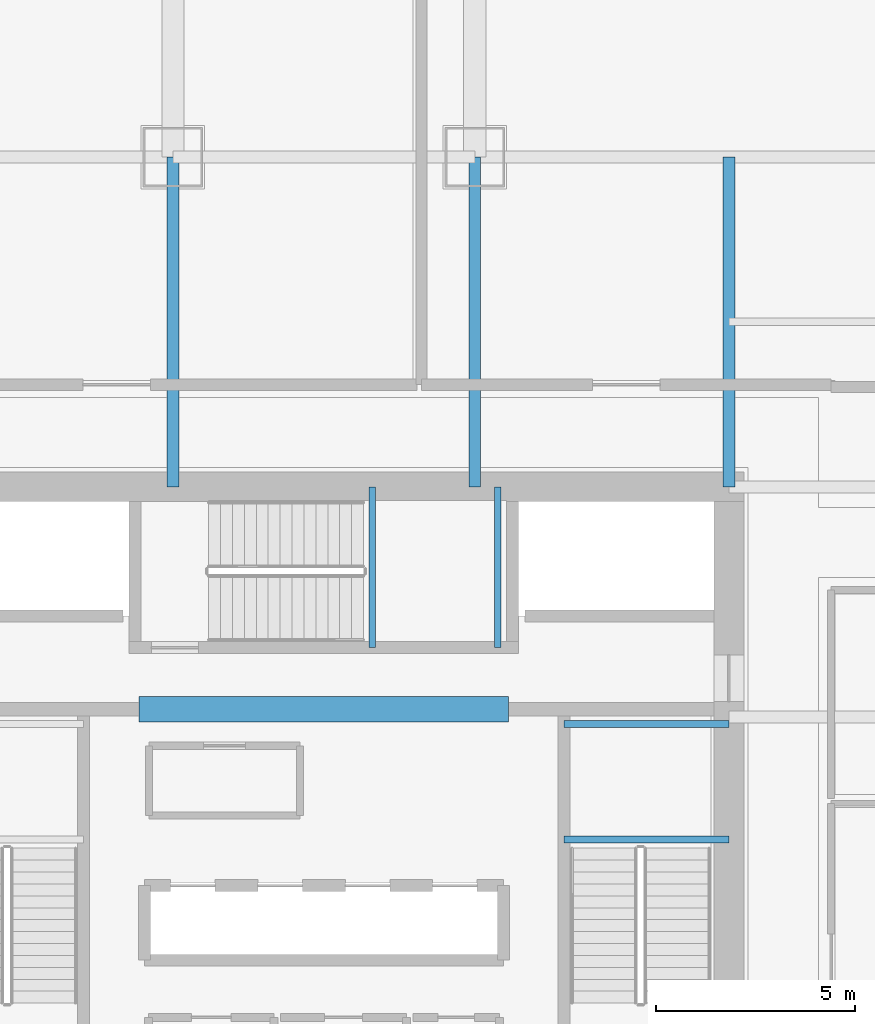
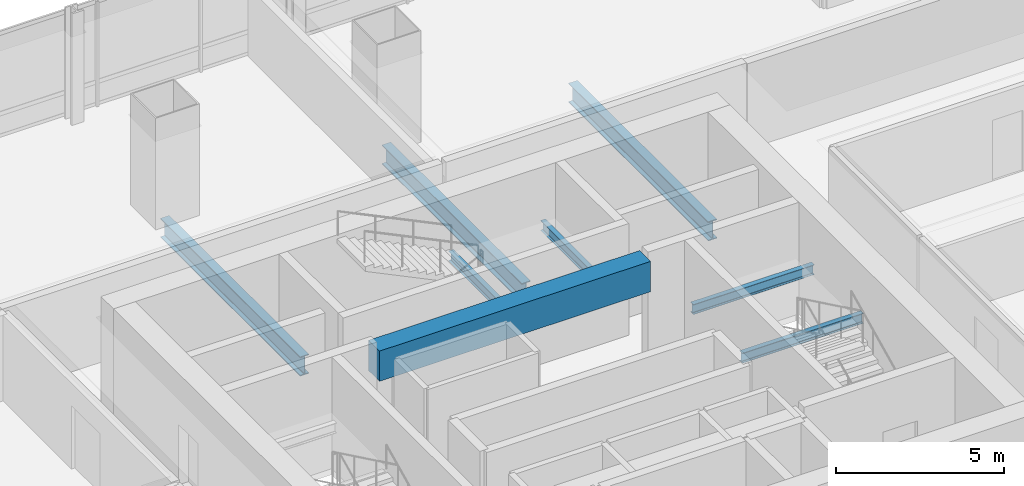
# One storey, part 12 of 35: 8 beams.
"""IFC4 building model written with IfcOpenShell, lengths in metres."""

import ifcopenshell
import ifcopenshell.guid

model = None  # the IFC model being written
_history = None  # IfcOwnerHistory: only IFC2X3 demands one
_inside = {}  # id of a spatial element -> (the spatial element, [elements in it])
_under = {}  # id of a project, library or spatial element -> (it, [spatial elements below it])
_declared = {}  # id of a project -> (the project, [libraries it declares])
_typed = {}  # id of a type object -> (the type object, [elements of that type])
_made_of = {}  # id of a material, layer set ... -> (it, [elements and type objects made of it])


def new_model(schema):
    """Start an empty IFC model of exactly this schema.

    Asked for "IFC4X3", IfcOpenShell would pick the latest addendum, in which some entities
    have other attributes; the version numbers below select the first issue.
    IFC2X3 requires an IfcOwnerHistory on every rooted entity: one is made here for all.
    """
    global model, _history
    if schema == "IFC4X3":
        model = ifcopenshell.file(schema_version=(4, 3, 0, 0))
    else:
        model = ifcopenshell.file(schema=schema)
    _inside.clear()
    _under.clear()
    _declared.clear()
    _typed.clear()
    _made_of.clear()
    _history = None
    if model.schema == "IFC2X3":
        org = make("IfcOrganization", Name="unknown")
        user = make(
            "IfcPersonAndOrganization",
            ThePerson=make("IfcPerson", FamilyName="unknown"),
            TheOrganization=org,
        )
        app = make(
            "IfcApplication",
            ApplicationDeveloper=org,
            Version="unknown",
            ApplicationFullName="unknown",
            ApplicationIdentifier="unknown",
        )
        _history = make(
            "IfcOwnerHistory",
            OwningUser=user,
            OwningApplication=app,
            ChangeAction="ADDED",
            CreationDate=0,
        )
    return model


def make(cls, **values):
    """One entity of the class cls with the attributes given. An attribute that is None is left unset."""
    return model.create_entity(
        cls, **{name: value for name, value in values.items() if value is not None}
    )


def rooted(cls, **values):
    """An entity with a GlobalId (a new one), such as an element, a storey or a relation."""
    return make(cls, GlobalId=ifcopenshell.guid.new(), OwnerHistory=_history, **values)


def si_unit(unit_type, name, prefix=None):
    """IfcSIUnit, for example si_unit("LENGTHUNIT", "METRE", prefix="MILLI")."""
    return make("IfcSIUnit", UnitType=unit_type, Prefix=prefix, Name=name)


def assignment(units):
    """IfcUnitAssignment: the units of a project."""
    return None if units is None else make("IfcUnitAssignment", Units=units)


def point(xyz):
    """IfcCartesianPoint."""
    return None if xyz is None else make("IfcCartesianPoint", Coordinates=xyz)


def direction(xyz):
    """IfcDirection."""
    return None if xyz is None else make("IfcDirection", DirectionRatios=xyz)


def frame(location, z_axis=None, x_axis=None):
    """IfcAxis2Placement3D, a coordinate frame: its origin and axes. An axis left out is left unset."""
    return make(
        "IfcAxis2Placement3D",
        Location=point(location),
        Axis=direction(z_axis),
        RefDirection=direction(x_axis),
    )


def frame_2d(location, x_axis=None):
    """IfcAxis2Placement2D, a coordinate frame in the plane: its origin and x axis."""
    return make(
        "IfcAxis2Placement2D", Location=point(location), RefDirection=direction(x_axis)
    )


def origin():
    """The frame at (0, 0, 0) with its axes left unset."""
    return frame((0.0, 0.0, 0.0))


def origin_2d():
    """The frame at (0, 0) in the plane with its x axis left unset."""
    return frame_2d((0.0, 0.0))


def place(relative_to, where):
    """IfcLocalPlacement: puts the frame where relative to a parent placement (None: the world)."""
    return make(
        "IfcLocalPlacement", PlacementRelTo=relative_to, RelativePlacement=where
    )


def context(
    kind, dimensions, precision=None, world=None, true_north=None, identifier=None
):
    """IfcGeometricRepresentationContext, for example the 3D "Model" context."""
    return make(
        "IfcGeometricRepresentationContext",
        ContextIdentifier=identifier,
        ContextType=kind,
        CoordinateSpaceDimension=dimensions,
        Precision=precision,
        WorldCoordinateSystem=world,
        TrueNorth=true_north,
    )


def subcontext(parent, identifier, kind, view, scale=None):
    """IfcGeometricRepresentationSubContext, for example "Body" below "Model"."""
    return make(
        "IfcGeometricRepresentationSubContext",
        ContextIdentifier=identifier,
        ContextType=kind,
        ParentContext=parent,
        TargetScale=scale,
        TargetView=view,
    )


def project(units=None, contexts=None):
    """IfcProject with its units and contexts."""
    return rooted(
        "IfcProject",
        Name="project",
        RepresentationContexts=contexts,
        UnitsInContext=assignment(units),
    )


def spatial(cls, under=None, at=None, **own):
    """A site, building, storey or space (cls), placed at a placement, below another one or the project."""
    s = rooted(cls, ObjectPlacement=at, **own)
    if under is not None:
        _under.setdefault(under.id(), (under, []))[1].append(s)
    return s


def profile(cls, at=None, kind="AREA", **sizes):
    """A parametric profile (cls). Its sizes go by their IFC names, for example OverallWidth=200.0."""
    return make(cls, ProfileType=kind, Position=at, **sizes)


def rectangle(**sizes):
    """IfcRectangleProfileDef."""
    return profile("IfcRectangleProfileDef", **sizes)


def i_section(**sizes):
    """IfcIShapeProfileDef."""
    return profile("IfcIShapeProfileDef", **sizes)


def extrude(swept, where, along, depth):
    """IfcExtrudedAreaSolid: the profile swept, set in the frame where, extruded along a direction by depth."""
    return make(
        "IfcExtrudedAreaSolid",
        SweptArea=swept,
        Position=where,
        ExtrudedDirection=direction(along),
        Depth=depth,
    )


def shape(context_of_items, identifier, shape_type, items):
    """IfcShapeRepresentation: the items that make up one representation, for example the "Body"."""
    return make(
        "IfcShapeRepresentation",
        ContextOfItems=context_of_items,
        RepresentationIdentifier=identifier,
        RepresentationType=shape_type,
        Items=items,
    )


def material(Name=None, Category=None):
    """IfcMaterial."""
    return make("IfcMaterial", Name=Name, Category=Category)


def material_profile(
    of_material, cross_section, Name=None, Category=None, Priority=None
):
    """IfcMaterialProfile: a cross section and its material."""
    return make(
        "IfcMaterialProfile",
        Name=Name,
        Material=of_material,
        Profile=cross_section,
        Priority=Priority,
        Category=Category,
    )


def profile_set(profiles, Name=None, composite=None):
    """IfcMaterialProfileSet."""
    return make(
        "IfcMaterialProfileSet",
        Name=Name,
        MaterialProfiles=profiles,
        CompositeProfile=composite,
    )


def made_of(thing, what):
    """Note that an element or type object is made of a material, layer set ...; save() writes the relation."""
    if what is not None:
        _made_of.setdefault(what.id(), (what, []))[1].append(thing)
    return thing


def type_object(cls, material=None, **own):
    """A type object (cls), such as IfcWallType, which elements share."""
    return made_of(rooted(cls, **own), material)


def element(
    cls,
    number,
    at=None,
    inside=None,
    cuts=None,
    type_object=None,
    material=None,
    context=None,
    identifier="Body",
    shape_type=None,
    held_by="IfcProductDefinitionShape",
    body=None,
    shapes=None,
    **own,
):
    """One element of the class cls, such as IfcWall. Its Tag is "e" and its number.

    at: its placement. inside: the storey or other place that contains it. cuts: it is an
    opening in that element (IfcRelVoidsElement). A single representation is given by context,
    identifier, shape_type and body (its items); several are given by shapes. held_by: the class
    of the entity that holds the representations. save() writes the other relations.
    """
    e = rooted(cls, Tag="e%d" % number, ObjectPlacement=at, **own)
    if body is not None:
        shapes = [shape(context, identifier, shape_type, body)]
    if shapes is not None:
        e.Representation = make(held_by, Representations=shapes)
    if inside is not None:
        _inside.setdefault(inside.id(), (inside, []))[1].append(e)
    if cuts is not None:
        rooted(
            "IfcRelVoidsElement", RelatingBuildingElement=cuts, RelatedOpeningElement=e
        )
    if type_object is not None:
        _typed.setdefault(type_object.id(), (type_object, []))[1].append(e)
    return made_of(e, material)


def aggregate(whole, parts):
    """IfcRelAggregates: a whole, such as a stair, and the parts it consists of."""
    return rooted("IfcRelAggregates", RelatingObject=whole, RelatedObjects=parts)


def save(model, path):
    """Write the relations noted so far, then the file.

    IfcRelAggregates (storeys below a building ...), IfcRelContainedInSpatialStructure (elements
    in a storey), IfcRelDefinesByType, IfcRelAssociatesMaterial and IfcRelDeclares: one each for
    every whole, place, type object, material and project.
    """
    for whole, parts in _under.values():
        aggregate(whole, parts)
    for where, things in _inside.values():
        rooted(
            "IfcRelContainedInSpatialStructure",
            RelatedElements=things,
            RelatingStructure=where,
        )
    for kind, things in _typed.values():
        rooted("IfcRelDefinesByType", RelatedObjects=things, RelatingType=kind)
    for what, things in _made_of.values():
        rooted("IfcRelAssociatesMaterial", RelatedObjects=things, RelatingMaterial=what)
    for by, libraries in _declared.values():
        rooted("IfcRelDeclares", RelatingContext=by, RelatedDefinitions=libraries)
    model.write(path)


model = new_model("IFC4")

# Units and contexts
model_context = context("Model", 3, precision=1e-05, world=origin(), true_north=direction((0.0, 1.0)))
body_context = subcontext(model_context, "Body", "Model", "MODEL_VIEW")
ifc_project = project(units=[si_unit("LENGTHUNIT", "METRE"), si_unit("AREAUNIT", "SQUARE_METRE"), si_unit("VOLUMEUNIT", "CUBIC_METRE"), si_unit("PLANEANGLEUNIT", "RADIAN"), si_unit("MASSUNIT", "GRAM", prefix="KILO")], contexts=[model_context])

# Site, building, storey
site_placement = place(None, origin())
site = spatial("IfcSite", under=ifc_project, at=site_placement, CompositionType="ELEMENT")
building_placement = place(site_placement, origin())
building = spatial("IfcBuilding", under=site, at=building_placement, Name="Punatoya Terracotta Tower", CompositionType="ELEMENT")
storey_placement = place(building_placement, frame((0.0, 0.0, 113.25)))
storey = spatial("IfcBuildingStorey", under=building, at=storey_placement, Name="L26", CompositionType="ELEMENT", Elevation=113.25)

# Beams
ifc_material_1 = material(Name="Steel S355", Category="steel")
ifc_material_profile_1 = material_profile(ifc_material_1, i_section(OverallWidth=0.300048828125, OverallDepth=0.699951171875, WebThickness=0.01708984375, FlangeThickness=0.031982421875, FilletRadius=0.01806640625, at=origin_2d()))
ifc_profile_set_1 = profile_set([ifc_material_profile_1], Name="Steel S355")
beam_type_1 = type_object("IfcBeamType", Name="BM-PRI-700", PredefinedType="BEAM", material=ifc_profile_set_1)
for number, where, z_axis, x_axis, name in (
    (1, (-3.800048828125, 9.199951171875, -0.590087890625), (0.0, 1.0, 0.0), (-1.0, 0.0, 0.0), "BM-L26-PR-N2"),
    (2, (3.800048828125, 9.199951171875, -0.590087890625), (0.0, 1.0, 0.0), (-1.0, 0.0, 0.0), "BM-L26-PR-N3"),
    (3, (10.199951171875, 9.199951171875, -0.590087890625), (0.0, 1.0, 0.0), (-1.0, 0.0, 0.0), "BM-L26-PR-N4"),
):
    element("IfcBeam", number, at=place(storey_placement, frame(where, z_axis=z_axis, x_axis=x_axis)), inside=storey, type_object=beam_type_1, Name=name, PredefinedType="BEAM", context=body_context, shape_type="SweptSolid", body=[
        extrude(i_section(OverallWidth=0.300048828125, OverallDepth=0.699951171875, WebThickness=0.01708984375, FlangeThickness=0.031982421875, FilletRadius=0.01806640625, at=origin_2d()), origin(), (0.0, 0.0, 1.0), 8.300048828125),
    ])
ifc_material_2 = material(Name="Concrete C60/75", Category="concrete")
ifc_material_profile_2 = material_profile(ifc_material_2, rectangle(XDim=0.64990234375, YDim=1.10009765625, at=origin_2d()))
ifc_profile_set_2 = profile_set([ifc_material_profile_2], Name="Concrete C60/75")
beam_type_2 = type_object("IfcBeamType", Name="BM-RC-1100", PredefinedType="LINTEL", material=ifc_profile_set_2)
beam_placement = place(storey_placement, frame((-4.64990234375, 3.60009765625, 3.260009765625), z_axis=(1.0, 0.0, 0.0), x_axis=(0.0, 1.0, 0.0)))
element("IfcBeam", 4, at=beam_placement, inside=storey, type_object=beam_type_2, Name="L26 Core Coupling Lintel CNW", PredefinedType="LINTEL", context=body_context, shape_type="SweptSolid", body=[
    extrude(rectangle(XDim=0.64990234375, YDim=1.10009765625, at=origin_2d()), origin(), (0.0, 0.0, 1.0), 9.2998046875),
])
ifc_material_profile_3 = material_profile(ifc_material_1, i_section(OverallWidth=0.169921875, OverallDepth=0.360107421875, WebThickness=0.008056640625, FlangeThickness=0.0126953125, FilletRadius=0.01806640625, at=origin_2d()))
ifc_profile_set_3 = profile_set([ifc_material_profile_3], Name="Steel S355")
beam_type_3 = type_object("IfcBeamType", Name="BM-SEC-360", PredefinedType="JOIST", material=ifc_profile_set_3)
for number, where, z_axis, x_axis, name in (
    (5, (6.050048828125, 0.320068359375, 1.64501953125), (1.0, 0.0, 0.0), (0.0, 1.0, 0.0), "BM-L26-ST-2-LD1A"),
    (6, (6.050048828125, 3.22998046875, 1.64501953125), (1.0, 0.0, 0.0), (0.0, 1.0, 0.0), "BM-L26-ST-2-LD1B"),
):
    element("IfcBeam", number, at=place(storey_placement, frame(where, z_axis=z_axis, x_axis=x_axis)), inside=storey, type_object=beam_type_3, Name=name, PredefinedType="JOIST", context=body_context, shape_type="SweptSolid", body=[
        extrude(i_section(OverallWidth=0.169921875, OverallDepth=0.360107421875, WebThickness=0.008056640625, FlangeThickness=0.0126953125, FilletRadius=0.01806640625, at=origin_2d()), origin(), (0.0, 0.0, 1.0), 4.14990234375),
    ])
for number, where, z_axis, x_axis, name in (
    (7, (1.219970703125, 5.14990234375, 1.64501953125), (0.0, 1.0, 0.0), (-1.0, 0.0, 0.0), "BM-L26-ST-3-LD1A"),
    (8, (4.3798828125, 5.14990234375, 1.64501953125), (0.0, 1.0, 0.0), (-1.0, 0.0, 0.0), "BM-L26-ST-3-LD1B"),
):
    element("IfcBeam", number, at=place(storey_placement, frame(where, z_axis=z_axis, x_axis=x_axis)), inside=storey, type_object=beam_type_3, Name=name, PredefinedType="JOIST", context=body_context, shape_type="SweptSolid", body=[
        extrude(i_section(OverallWidth=0.169921875, OverallDepth=0.360107421875, WebThickness=0.008056640625, FlangeThickness=0.0126953125, FilletRadius=0.01806640625, at=origin_2d()), origin(), (0.0, 0.0, 1.0), 4.050048828125),
    ])

save(model, "model.ifc")
